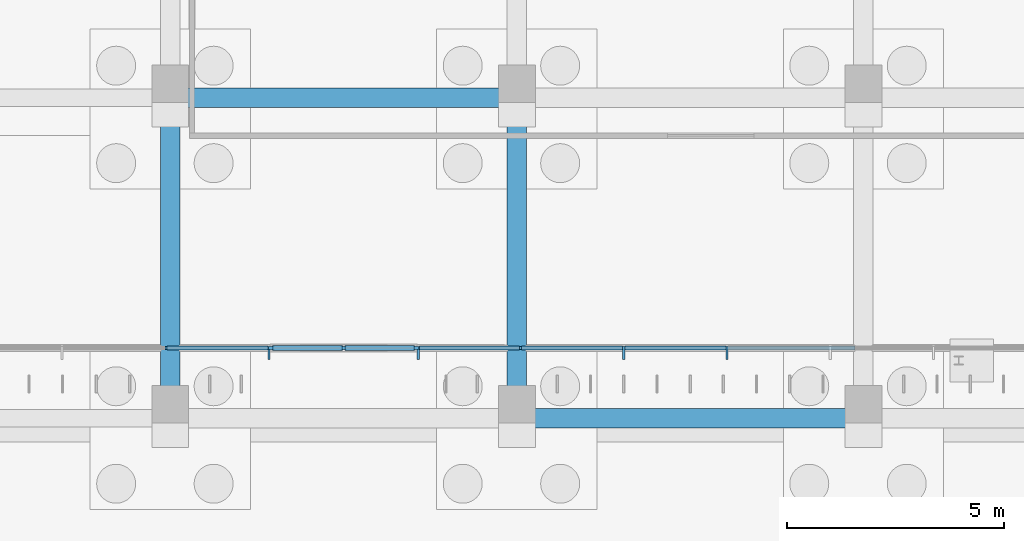
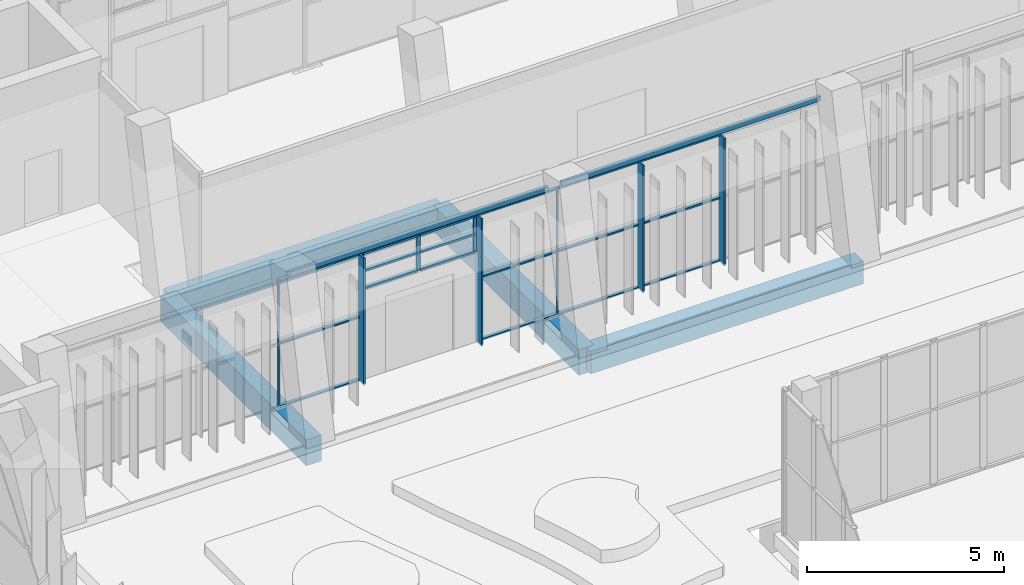
# One storey, part 62 of 144: 27 members, 6 beams, 3 elements without a shape of their own.
"""IFC4 building model written with IfcOpenShell, lengths in metres."""

from ifc_helpers import new_model, si_unit, direction, frame, origin, origin_2d, place, context, subcontext, project, spatial, rectangle, hollow_rectangle, extrude, material, material_profile, profile_set, type_object, element, aggregate, save


model = new_model("IFC4")

# Units and contexts
model_context = context("Model", 3, precision=1e-05, world=origin(), true_north=direction((0.0, 1.0)))
body_context = subcontext(model_context, "Body", "Model", "MODEL_VIEW")
ifc_project = project(units=[si_unit("LENGTHUNIT", "METRE"), si_unit("AREAUNIT", "SQUARE_METRE"), si_unit("VOLUMEUNIT", "CUBIC_METRE"), si_unit("PLANEANGLEUNIT", "RADIAN"), si_unit("MASSUNIT", "GRAM", prefix="KILO")], contexts=[model_context])

# Site, building, storey
site_placement = place(None, origin())
site = spatial("IfcSite", under=ifc_project, at=site_placement, CompositionType="ELEMENT")
building_placement = place(site_placement, origin())
building = spatial("IfcBuilding", under=site, at=building_placement, Name="Lantern Court Media Centre", CompositionType="ELEMENT")
storey_placement = place(building_placement, origin())
storey = spatial("IfcBuildingStorey", under=building, at=storey_placement, Name="L00", CompositionType="ELEMENT", Elevation=0.0)

# Curtain wall, member
ifc_material_1 = material(Name="Curtain wall bay 2400")
curtain_wall_type_1 = type_object("IfcCurtainWallType", Name="Curtain wall bay 2400", PredefinedType="NOTDEFINED", material=ifc_material_1)
curtain_wall_1_placement = place(storey_placement, origin())
curtain_wall_1 = element("IfcCurtainWall", 1, at=curtain_wall_1_placement, inside=storey, type_object=curtain_wall_type_1, Name="Curtain wall N inner L00", PredefinedType="NOTDEFINED")
ifc_material_2 = material(Name="Anodised aluminium", Category="aluminium")
ifc_material_profile_1 = material_profile(ifc_material_2, rectangle(XDim=0.300048828125, YDim=0.050048828125, at=origin_2d()), Name="AL 50x300")
ifc_profile_set_1 = profile_set([ifc_material_profile_1], Name="Anodised aluminium")
member_type_1 = type_object("IfcMemberType", Name="Curtain wall mullion 50x300", PredefinedType="MULLION", material=ifc_profile_set_1)
member_1_placement = place(storey_placement, frame((34.27490234375, 98.030029296875, 0.0), z_axis=(0.0, 0.0, 1.0), x_axis=(0.0, 1.0, 0.0)))
member_1 = element("IfcMember", 2, at=member_1_placement, type_object=member_type_1, Name="CW2 mullion 5", PredefinedType="MULLION", context=body_context, shape_type="SweptSolid", body=[
    extrude(rectangle(XDim=0.300048828125, YDim=0.050048828125, at=origin_2d()), origin(), (0.0, 0.0, 1.0), 3.949951171875),
])

# Curtain wall, members
curtain_wall_2_placement = place(storey_placement, origin())
curtain_wall_2 = element("IfcCurtainWall", 3, at=curtain_wall_2_placement, inside=storey, type_object=curtain_wall_type_1, Name="Curtain wall N inner L00", PredefinedType="NOTDEFINED")
member_2_placement = place(storey_placement, frame((37.72509765625, 98.030029296875, 0.0), z_axis=(0.0, 0.0, 1.0), x_axis=(0.0, 1.0, 0.0)))
member_2 = element("IfcMember", 4, at=member_2_placement, type_object=member_type_1, Name="CW2 mullion 1", PredefinedType="MULLION", context=body_context, shape_type="SweptSolid", body=[
    extrude(rectangle(XDim=0.300048828125, YDim=0.050048828125, at=origin_2d()), origin(), (0.0, 0.0, 1.0), 3.949951171875),
])
member_3_placement = place(storey_placement, frame((42.466552734375, 98.030029296875, 0.0), z_axis=(0.0, 0.0, 1.0), x_axis=(0.0, 1.0, 0.0)))
member_3 = element("IfcMember", 5, at=member_3_placement, type_object=member_type_1, Name="CW2 mullion 3", PredefinedType="MULLION", context=body_context, shape_type="SweptSolid", body=[
    extrude(rectangle(XDim=0.300048828125, YDim=0.050048828125, at=origin_2d()), origin(), (0.0, 0.0, 1.0), 3.949951171875),
])
member_4_placement = place(storey_placement, frame((44.85009765625, 98.030029296875, 0.0), z_axis=(0.0, 0.0, 1.0), x_axis=(0.0, 1.0, 0.0)))
member_4 = element("IfcMember", 6, at=member_4_placement, type_object=member_type_1, Name="CW2 mullion 4", PredefinedType="MULLION", context=body_context, shape_type="SweptSolid", body=[
    extrude(rectangle(XDim=0.300048828125, YDim=0.050048828125, at=origin_2d()), origin(), (0.0, 0.0, 1.0), 3.949951171875),
])

# Member
ifc_material_profile_2 = material_profile(ifc_material_2, rectangle(XDim=0.06005859375, YDim=0.050048828125, at=origin_2d()), Name="AL 50x60")
ifc_profile_set_2 = profile_set([ifc_material_profile_2], Name="Anodised aluminium")
member_type_2 = type_object("IfcMemberType", Name="Curtain wall mullion 50x60", PredefinedType="MULLION", material=ifc_profile_set_2)
member_5_placement = place(storey_placement, frame((31.89990234375, 98.14990234375, 0.0), z_axis=(0.0, 0.0, 1.0), x_axis=(0.0, 1.0, 0.0)))
member_5 = element("IfcMember", 7, at=member_5_placement, type_object=member_type_2, Name="CW2 mullion 4", PredefinedType="MULLION", context=body_context, shape_type="SweptSolid", body=[
    extrude(rectangle(XDim=0.06005859375, YDim=0.050048828125, at=origin_2d()), origin(), (0.0, 0.0, 1.0), 3.949951171875),
])

member_6_placement = place(storey_placement, frame((40.083251953125, 98.14990234375, 0.0), z_axis=(0.0, 0.0, 1.0), x_axis=(0.0, 1.0, 0.0)))
member_6 = element("IfcMember", 8, at=member_6_placement, type_object=member_type_2, Name="CW2 mullion 2", PredefinedType="MULLION", context=body_context, shape_type="SweptSolid", body=[
    extrude(rectangle(XDim=0.06005859375, YDim=0.050048828125, at=origin_2d()), origin(), (0.0, 0.0, 1.0), 3.949951171875),
])

# Curtain wall, members
ifc_material_3 = material(Name="Curtain wall bay 1700")
curtain_wall_type_2 = type_object("IfcCurtainWallType", Name="Curtain wall bay 1700", PredefinedType="NOTDEFINED", material=ifc_material_3)
curtain_wall_3_placement = place(storey_placement, origin())
curtain_wall_3 = element("IfcCurtainWall", 9, at=curtain_wall_3_placement, inside=storey, type_object=curtain_wall_type_2, Name="Curtain wall N inner L00", PredefinedType="NOTDEFINED")
ifc_material_profile_3 = material_profile(ifc_material_2, rectangle(XDim=0.06005859375, YDim=0.1201171875, at=origin_2d()), Name="AL 60x120")
ifc_profile_set_3 = profile_set([ifc_material_profile_3], Name="Anodised aluminium")
member_type_3 = type_object("IfcMemberType", Name="Curtain wall mullion 60x120", PredefinedType="MULLION", material=ifc_profile_set_3)
member_7_placement = place(storey_placement, frame((34.330078125, 98.14990234375, 2.800048828125), z_axis=(0.0, 0.0, 1.0), x_axis=(0.0, 1.0, 0.0)))
member_7 = element("IfcMember", 10, at=member_7_placement, type_object=member_type_3, Name="CW4 mullion 1", PredefinedType="MULLION", context=body_context, shape_type="SweptSolid", body=[
    extrude(rectangle(XDim=0.06005859375, YDim=0.1201171875, at=origin_2d()), origin(), (0.0, 0.0, 1.0), 1.14990234375),
])
member_8_placement = place(storey_placement, frame((36.0, 98.14990234375, 2.800048828125), z_axis=(0.0, 0.0, 1.0), x_axis=(0.0, 1.0, 0.0)))
member_8 = element("IfcMember", 11, at=member_8_placement, type_object=member_type_3, Name="CW4 mullion 2", PredefinedType="MULLION", context=body_context, shape_type="SweptSolid", body=[
    extrude(rectangle(XDim=0.06005859375, YDim=0.1201171875, at=origin_2d()), origin(), (0.0, 0.0, 1.0), 1.14990234375),
])
member_9_placement = place(storey_placement, frame((37.669921875, 98.14990234375, 2.800048828125), z_axis=(0.0, 0.0, 1.0), x_axis=(0.0, 1.0, 0.0)))
member_9 = element("IfcMember", 12, at=member_9_placement, type_object=member_type_3, Name="CW4 mullion 3", PredefinedType="MULLION", context=body_context, shape_type="SweptSolid", body=[
    extrude(rectangle(XDim=0.06005859375, YDim=0.1201171875, at=origin_2d()), origin(), (0.0, 0.0, 1.0), 1.14990234375),
])

# Member
ifc_material_profile_4 = material_profile(ifc_material_2, rectangle(XDim=0.10009765625, YDim=0.050048828125, at=origin_2d()), Name="AL 50x100")
ifc_profile_set_4 = profile_set([ifc_material_profile_4], Name="Anodised aluminium")
member_type_4 = type_object("IfcMemberType", Name="Curtain wall transom 100x50", PredefinedType="USERDEFINED", material=ifc_profile_set_4)
member_10_placement = place(storey_placement, frame((31.925048828125, 98.14990234375, 0.02490234375), z_axis=(1.0, 0.0, 0.0), x_axis=(0.0, 1.0, 0.0)))
member_10 = element("IfcMember", 13, at=member_10_placement, type_object=member_type_4, Name="CW2 transom 4.1", ObjectType="TRANSOM", PredefinedType="USERDEFINED", context=body_context, shape_type="SweptSolid", body=[
    extrude(rectangle(XDim=0.10009765625, YDim=0.050048828125, at=origin_2d()), origin(), (0.0, 0.0, 1.0), 2.324951171875),
])

member_11_placement = place(storey_placement, frame((31.925048828125, 98.14990234375, 1.97509765625), z_axis=(1.0, 0.0, 0.0), x_axis=(0.0, 1.0, 0.0)))
member_11 = element("IfcMember", 14, at=member_11_placement, type_object=member_type_4, Name="CW2 transom 4.2", ObjectType="TRANSOM", PredefinedType="USERDEFINED", context=body_context, shape_type="SweptSolid", body=[
    extrude(rectangle(XDim=0.10009765625, YDim=0.050048828125, at=origin_2d()), origin(), (0.0, 0.0, 1.0), 2.324951171875),
])

member_12_placement = place(storey_placement, frame((31.925048828125, 98.14990234375, 3.925048828125), z_axis=(1.0, 0.0, 0.0), x_axis=(0.0, 1.0, 0.0)))
member_12 = element("IfcMember", 15, at=member_12_placement, type_object=member_type_4, Name="CW2 transom 4.3", ObjectType="TRANSOM", PredefinedType="USERDEFINED", context=body_context, shape_type="SweptSolid", body=[
    extrude(rectangle(XDim=0.10009765625, YDim=0.050048828125, at=origin_2d()), origin(), (0.0, 0.0, 1.0), 2.324951171875),
])

aggregate(curtain_wall_1, [member_5, member_1, member_10, member_11, member_12])

member_13_placement = place(storey_placement, frame((37.75, 98.14990234375, 0.02490234375), z_axis=(1.0, 0.0, 0.0), x_axis=(0.0, 1.0, 0.0)))
member_13 = element("IfcMember", 16, at=member_13_placement, type_object=member_type_4, Name="CW2 transom 1.1", ObjectType="TRANSOM", PredefinedType="USERDEFINED", context=body_context, shape_type="SweptSolid", body=[
    extrude(rectangle(XDim=0.10009765625, YDim=0.050048828125, at=origin_2d()), origin(), (0.0, 0.0, 1.0), 2.308349609375),
])

member_14_placement = place(storey_placement, frame((37.75, 98.14990234375, 1.97509765625), z_axis=(1.0, 0.0, 0.0), x_axis=(0.0, 1.0, 0.0)))
member_14 = element("IfcMember", 17, at=member_14_placement, type_object=member_type_4, Name="CW2 transom 1.2", ObjectType="TRANSOM", PredefinedType="USERDEFINED", context=body_context, shape_type="SweptSolid", body=[
    extrude(rectangle(XDim=0.10009765625, YDim=0.050048828125, at=origin_2d()), origin(), (0.0, 0.0, 1.0), 2.308349609375),
])

member_15_placement = place(storey_placement, frame((37.75, 98.14990234375, 3.925048828125), z_axis=(1.0, 0.0, 0.0), x_axis=(0.0, 1.0, 0.0)))
member_15 = element("IfcMember", 18, at=member_15_placement, type_object=member_type_4, Name="CW2 transom 1.3", ObjectType="TRANSOM", PredefinedType="USERDEFINED", context=body_context, shape_type="SweptSolid", body=[
    extrude(rectangle(XDim=0.10009765625, YDim=0.050048828125, at=origin_2d()), origin(), (0.0, 0.0, 1.0), 2.308349609375),
])

member_16_placement = place(storey_placement, frame((40.1083984375, 98.14990234375, 0.02490234375), z_axis=(1.0, 0.0, 0.0), x_axis=(0.0, 1.0, 0.0)))
member_16 = element("IfcMember", 19, at=member_16_placement, type_object=member_type_4, Name="CW2 transom 2.1", ObjectType="TRANSOM", PredefinedType="USERDEFINED", context=body_context, shape_type="SweptSolid", body=[
    extrude(rectangle(XDim=0.10009765625, YDim=0.050048828125, at=origin_2d()), origin(), (0.0, 0.0, 1.0), 2.333251953125),
])

member_17_placement = place(storey_placement, frame((40.1083984375, 98.14990234375, 1.97509765625), z_axis=(1.0, 0.0, 0.0), x_axis=(0.0, 1.0, 0.0)))
member_17 = element("IfcMember", 20, at=member_17_placement, type_object=member_type_4, Name="CW2 transom 2.2", ObjectType="TRANSOM", PredefinedType="USERDEFINED", context=body_context, shape_type="SweptSolid", body=[
    extrude(rectangle(XDim=0.10009765625, YDim=0.050048828125, at=origin_2d()), origin(), (0.0, 0.0, 1.0), 2.333251953125),
])

member_18_placement = place(storey_placement, frame((40.1083984375, 98.14990234375, 3.925048828125), z_axis=(1.0, 0.0, 0.0), x_axis=(0.0, 1.0, 0.0)))
member_18 = element("IfcMember", 21, at=member_18_placement, type_object=member_type_4, Name="CW2 transom 2.3", ObjectType="TRANSOM", PredefinedType="USERDEFINED", context=body_context, shape_type="SweptSolid", body=[
    extrude(rectangle(XDim=0.10009765625, YDim=0.050048828125, at=origin_2d()), origin(), (0.0, 0.0, 1.0), 2.333251953125),
])

member_19_placement = place(storey_placement, frame((42.49169921875, 98.14990234375, 0.02490234375), z_axis=(1.0, 0.0, 0.0), x_axis=(0.0, 1.0, 0.0)))
member_19 = element("IfcMember", 22, at=member_19_placement, type_object=member_type_4, Name="CW2 transom 3.1", ObjectType="TRANSOM", PredefinedType="USERDEFINED", context=body_context, shape_type="SweptSolid", body=[
    extrude(rectangle(XDim=0.10009765625, YDim=0.050048828125, at=origin_2d()), origin(), (0.0, 0.0, 1.0), 2.333251953125),
])

member_20_placement = place(storey_placement, frame((42.49169921875, 98.14990234375, 1.97509765625), z_axis=(1.0, 0.0, 0.0), x_axis=(0.0, 1.0, 0.0)))
member_20 = element("IfcMember", 23, at=member_20_placement, type_object=member_type_4, Name="CW2 transom 3.2", ObjectType="TRANSOM", PredefinedType="USERDEFINED", context=body_context, shape_type="SweptSolid", body=[
    extrude(rectangle(XDim=0.10009765625, YDim=0.050048828125, at=origin_2d()), origin(), (0.0, 0.0, 1.0), 2.333251953125),
])

member_21_placement = place(storey_placement, frame((42.49169921875, 98.14990234375, 3.925048828125), z_axis=(1.0, 0.0, 0.0), x_axis=(0.0, 1.0, 0.0)))
member_21 = element("IfcMember", 24, at=member_21_placement, type_object=member_type_4, Name="CW2 transom 3.3", ObjectType="TRANSOM", PredefinedType="USERDEFINED", context=body_context, shape_type="SweptSolid", body=[
    extrude(rectangle(XDim=0.10009765625, YDim=0.050048828125, at=origin_2d()), origin(), (0.0, 0.0, 1.0), 2.333251953125),
])

aggregate(curtain_wall_2, [member_2, member_6, member_3, member_4, member_13, member_14, member_15, member_16, member_17, member_18, member_19, member_20, member_21])

ifc_material_profile_5 = material_profile(ifc_material_2, rectangle(XDim=0.1201171875, YDim=0.06005859375, at=origin_2d()), Name="AL 60x120")
ifc_profile_set_5 = profile_set([ifc_material_profile_5], Name="Anodised aluminium")
member_type_5 = type_object("IfcMemberType", Name="Curtain wall transom 60x120", PredefinedType="USERDEFINED", material=ifc_profile_set_5)
member_22_placement = place(storey_placement, frame((34.360107421875, 98.14990234375, 2.830078125), z_axis=(1.0, 0.0, 0.0), x_axis=(0.0, 1.0, 0.0)))
member_22 = element("IfcMember", 25, at=member_22_placement, type_object=member_type_5, Name="CW4 transom 1.1", ObjectType="TRANSOM", PredefinedType="USERDEFINED", context=body_context, shape_type="SweptSolid", body=[
    extrude(rectangle(XDim=0.1201171875, YDim=0.06005859375, at=origin_2d()), origin(), (0.0, 0.0, 1.0), 1.60986328125),
])

member_23_placement = place(storey_placement, frame((34.360107421875, 98.14990234375, 3.375), z_axis=(1.0, 0.0, 0.0), x_axis=(0.0, 1.0, 0.0)))
member_23 = element("IfcMember", 26, at=member_23_placement, type_object=member_type_5, Name="CW4 transom 1.2", ObjectType="TRANSOM", PredefinedType="USERDEFINED", context=body_context, shape_type="SweptSolid", body=[
    extrude(rectangle(XDim=0.1201171875, YDim=0.06005859375, at=origin_2d()), origin(), (0.0, 0.0, 1.0), 1.60986328125),
])

member_24_placement = place(storey_placement, frame((34.360107421875, 98.14990234375, 3.919921875), z_axis=(1.0, 0.0, 0.0), x_axis=(0.0, 1.0, 0.0)))
member_24 = element("IfcMember", 27, at=member_24_placement, type_object=member_type_5, Name="CW4 transom 1.3", ObjectType="TRANSOM", PredefinedType="USERDEFINED", context=body_context, shape_type="SweptSolid", body=[
    extrude(rectangle(XDim=0.1201171875, YDim=0.06005859375, at=origin_2d()), origin(), (0.0, 0.0, 1.0), 1.60986328125),
])

member_25_placement = place(storey_placement, frame((36.030029296875, 98.14990234375, 2.830078125), z_axis=(1.0, 0.0, 0.0), x_axis=(0.0, 1.0, 0.0)))
member_25 = element("IfcMember", 28, at=member_25_placement, type_object=member_type_5, Name="CW4 transom 2.1", ObjectType="TRANSOM", PredefinedType="USERDEFINED", context=body_context, shape_type="SweptSolid", body=[
    extrude(rectangle(XDim=0.1201171875, YDim=0.06005859375, at=origin_2d()), origin(), (0.0, 0.0, 1.0), 1.60986328125),
])

member_26_placement = place(storey_placement, frame((36.030029296875, 98.14990234375, 3.375), z_axis=(1.0, 0.0, 0.0), x_axis=(0.0, 1.0, 0.0)))
member_26 = element("IfcMember", 29, at=member_26_placement, type_object=member_type_5, Name="CW4 transom 2.2", ObjectType="TRANSOM", PredefinedType="USERDEFINED", context=body_context, shape_type="SweptSolid", body=[
    extrude(rectangle(XDim=0.1201171875, YDim=0.06005859375, at=origin_2d()), origin(), (0.0, 0.0, 1.0), 1.60986328125),
])

member_27_placement = place(storey_placement, frame((36.030029296875, 98.14990234375, 3.919921875), z_axis=(1.0, 0.0, 0.0), x_axis=(0.0, 1.0, 0.0)))
member_27 = element("IfcMember", 30, at=member_27_placement, type_object=member_type_5, Name="CW4 transom 2.3", ObjectType="TRANSOM", PredefinedType="USERDEFINED", context=body_context, shape_type="SweptSolid", body=[
    extrude(rectangle(XDim=0.1201171875, YDim=0.06005859375, at=origin_2d()), origin(), (0.0, 0.0, 1.0), 1.60986328125),
])

aggregate(curtain_wall_3, [member_7, member_8, member_9, member_22, member_23, member_24, member_25, member_26, member_27])

# Beams
ifc_material_4 = material(Name="Steel S355J2 (EN 10025-2)", Category="steel")
ifc_material_profile_6 = material_profile(ifc_material_4, hollow_rectangle(XDim=0.10009765625, YDim=0.14990234375, WallThickness=0.00634765625, InnerFilletRadius=0.00634765625, OuterFilletRadius=0.009521484375, at=origin_2d()), Name="Facade head lintel RHS 150x100x6.3")
ifc_profile_set_6 = profile_set([ifc_material_profile_6], Name="Steel S355J2 (EN 10025-2)")
beam_type_1 = type_object("IfcBeamType", Name="Facade head lintel RHS 150x100x6.3", PredefinedType="BEAM", material=ifc_profile_set_6)
for number, where, z_axis, x_axis, name in (
    (31, (32.199951171875, 98.14990234375, 4.02490234375), (1.0, 0.0, 0.0), (0.0, 1.0, 0.0), "Facade head lintel N L00"),
    (32, (40.199951171875, 98.14990234375, 4.02490234375), (1.0, 0.0, 0.0), (0.0, 1.0, 0.0), "Facade head lintel N L00"),
):
    element("IfcBeam", number, at=place(storey_placement, frame(where, z_axis=z_axis, x_axis=x_axis)), inside=storey, type_object=beam_type_1, Name=name, PredefinedType="BEAM", context=body_context, shape_type="SweptSolid", body=[
        extrude(hollow_rectangle(XDim=0.10009765625, YDim=0.14990234375, WallThickness=0.00634765625, InnerFilletRadius=0.00634765625, OuterFilletRadius=0.009521484375, at=origin_2d()), origin(), (0.0, 0.0, 1.0), 7.60009765625),
    ])
ifc_material_5 = material(Name="Concrete C35", Category="concrete")
ifc_material_profile_7 = material_profile(ifc_material_5, rectangle(XDim=0.449951171875, YDim=0.699951171875, at=origin_2d()), Name="RC 450x700")
ifc_profile_set_7 = profile_set([ifc_material_profile_7], Name="Concrete C35")
beam_type_2 = type_object("IfcBeamType", Name="RC BEAM 450x700", PredefinedType="BEAM", material=ifc_profile_set_7)
for number, where, z_axis, x_axis, name in (
    (33, (40.0, 96.527099609375, -0.35009765625), (1.0, 0.0, 0.0), (0.0, 1.0, 0.0), "LB-N-L00-0-2"),
    (34, (32.0, 103.927001953125, -0.35009765625), (1.0, 0.0, 0.0), (0.0, 1.0, 0.0), "LB-N-L00-1-1"),
):
    element("IfcBeam", number, at=place(storey_placement, frame(where, z_axis=z_axis, x_axis=x_axis)), inside=storey, type_object=beam_type_2, Name=name, PredefinedType="BEAM", context=body_context, shape_type="SweptSolid", body=[
        extrude(rectangle(XDim=0.449951171875, YDim=0.699951171875, at=origin_2d()), origin(), (0.0, 0.0, 1.0), 8.0),
    ])
ifc_material_profile_8 = material_profile(ifc_material_5, rectangle(XDim=0.449951171875, YDim=0.800048828125, at=origin_2d()), Name="RC 450x800")
ifc_profile_set_8 = profile_set([ifc_material_profile_8], Name="Concrete C35")
beam_type_3 = type_object("IfcBeamType", Name="RC BEAM 450x800", PredefinedType="BEAM", material=ifc_profile_set_8)
for number, where, z_axis, x_axis, name in (
    (35, (32.0, 96.5166015625, -0.39990234375), (0.0, 1.0, 0.0), (-1.0, 0.0, 0.0), "TB-N-L00-1-1"),
    (36, (40.0, 96.5166015625, -0.39990234375), (0.0, 1.0, 0.0), (-1.0, 0.0, 0.0), "TB-N-L00-2-1"),
):
    element("IfcBeam", number, at=place(storey_placement, frame(where, z_axis=z_axis, x_axis=x_axis)), inside=storey, type_object=beam_type_3, Name=name, PredefinedType="BEAM", context=body_context, shape_type="SweptSolid", body=[
        extrude(rectangle(XDim=0.449951171875, YDim=0.800048828125, at=origin_2d()), origin(), (0.0, 0.0, 1.0), 7.400146484375),
    ])

save(model, "model.ifc")
